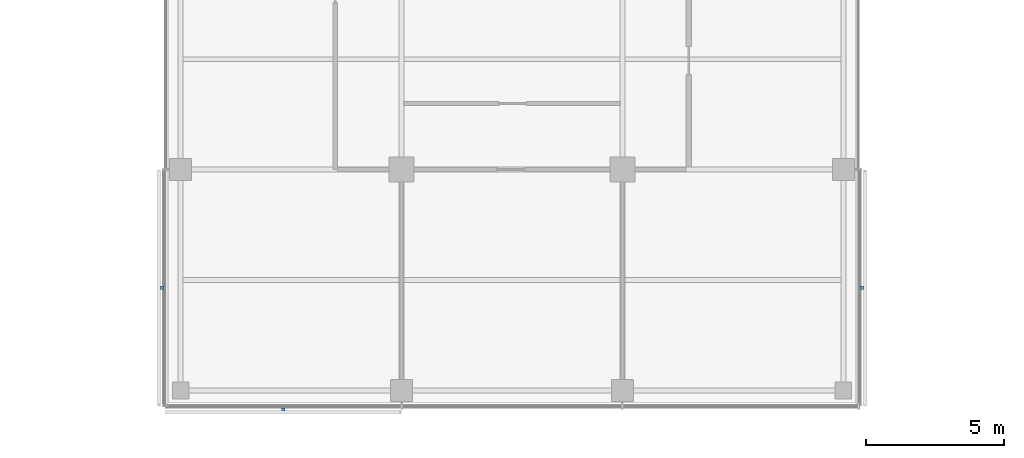
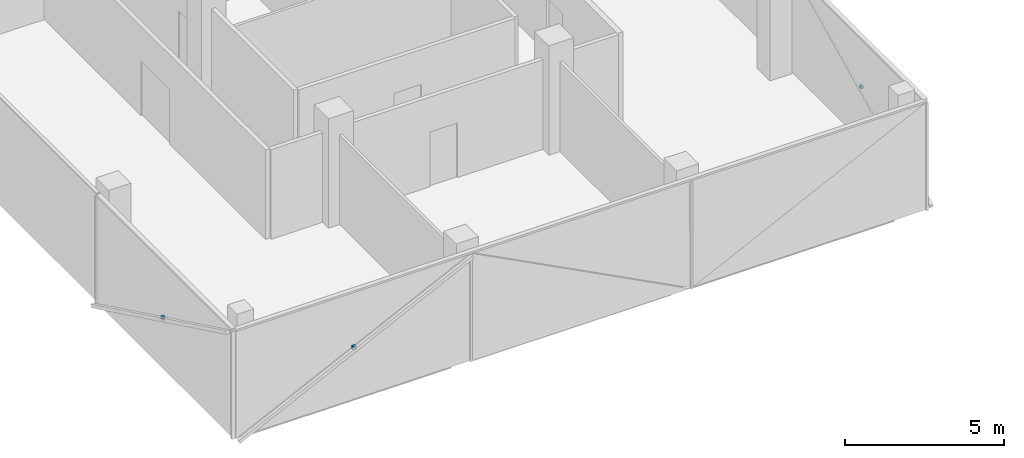
# One storey, part 13 of 15: 3 discrete accessories.
"""IFC4 building model written with IfcOpenShell, lengths in metres."""

from ifc_helpers import new_model, si_unit, direction, frame, origin, origin_2d, place, context, subcontext, project, spatial, rectangle, extrude, material, type_object, element, save


model = new_model("IFC4")

# Units and contexts
model_context = context("Model", 3, precision=1e-05, world=origin(), true_north=direction((0.0, 1.0)))
body_context = subcontext(model_context, "Body", "Model", "MODEL_VIEW")
ifc_project = project(units=[si_unit("LENGTHUNIT", "METRE"), si_unit("AREAUNIT", "SQUARE_METRE"), si_unit("VOLUMEUNIT", "CUBIC_METRE"), si_unit("PLANEANGLEUNIT", "RADIAN"), si_unit("MASSUNIT", "GRAM", prefix="KILO")], contexts=[model_context])

# Site, building, storey
site_placement = place(None, origin())
site = spatial("IfcSite", under=ifc_project, at=site_placement, CompositionType="ELEMENT")
building_placement = place(site_placement, origin())
building = spatial("IfcBuilding", under=site, at=building_placement, Name="Crosswind Convention Tower", CompositionType="ELEMENT")
storey_placement = place(building_placement, frame((0.0, 0.0, 183.10009765625)))
storey = spatial("IfcBuildingStorey", under=building, at=storey_placement, Name="L38", CompositionType="ELEMENT", Elevation=183.10009765625)

# Discrete accessories
ifc_material = material(Name="Stainless steel", Category="steel")
discrete_accessory_type = type_object("IfcDiscreteAccessoryType", Name="BAGUETTE BRACKET BK3", PredefinedType="BRACKET", material=ifc_material)
for number, where, z_axis, x_axis, name in (
    (1, (112.323974609375, 75.719970703125, 1.704833984375), (0.0, 0.0, 1.0), (0.0, -1.0, 0.0), "BK3 baguette bracket"),
    (2, (116.719970703125, 71.323974609375, 1.704833984375), (0.0, 0.0, 1.0), (1.0, 0.0, 0.0), "BK3 baguette bracket"),
    (3, (137.676025390625, 75.719970703125, 1.704833984375), (0.0, 0.0, 1.0), (0.0, 1.0, 0.0), "BK3 baguette bracket"),
):
    element("IfcDiscreteAccessory", number, at=place(storey_placement, frame(where, z_axis=z_axis, x_axis=x_axis)), inside=storey, type_object=discrete_accessory_type, Name=name, PredefinedType="BRACKET", context=body_context, shape_type="SweptSolid", body=[
        extrude(rectangle(XDim=0.1201171875, YDim=0.10009765625, at=origin_2d()), origin(), (0.0, 0.0, 1.0), 0.1201171875),
    ])

save(model, "model.ifc")
